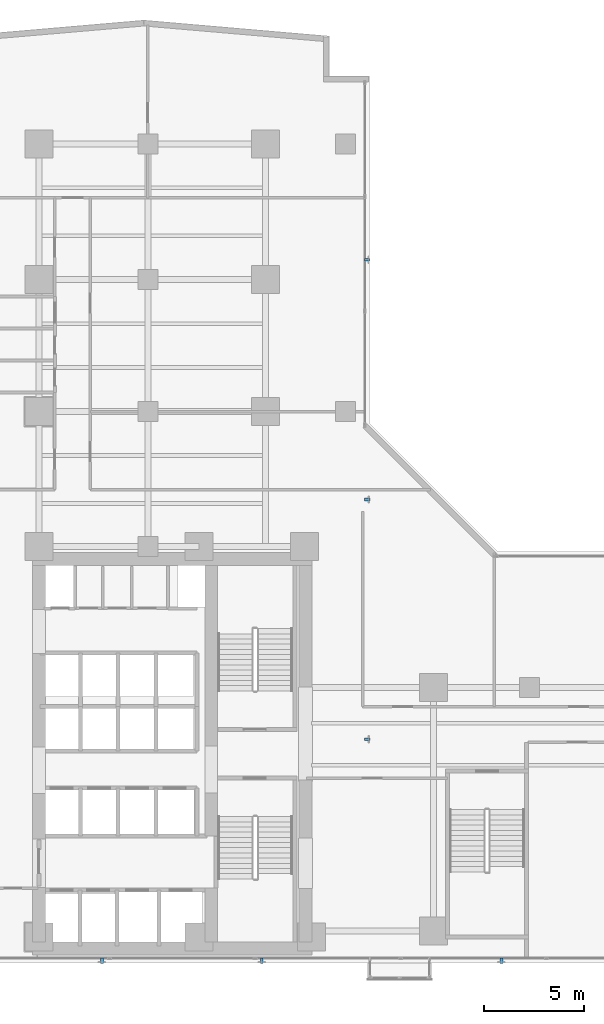
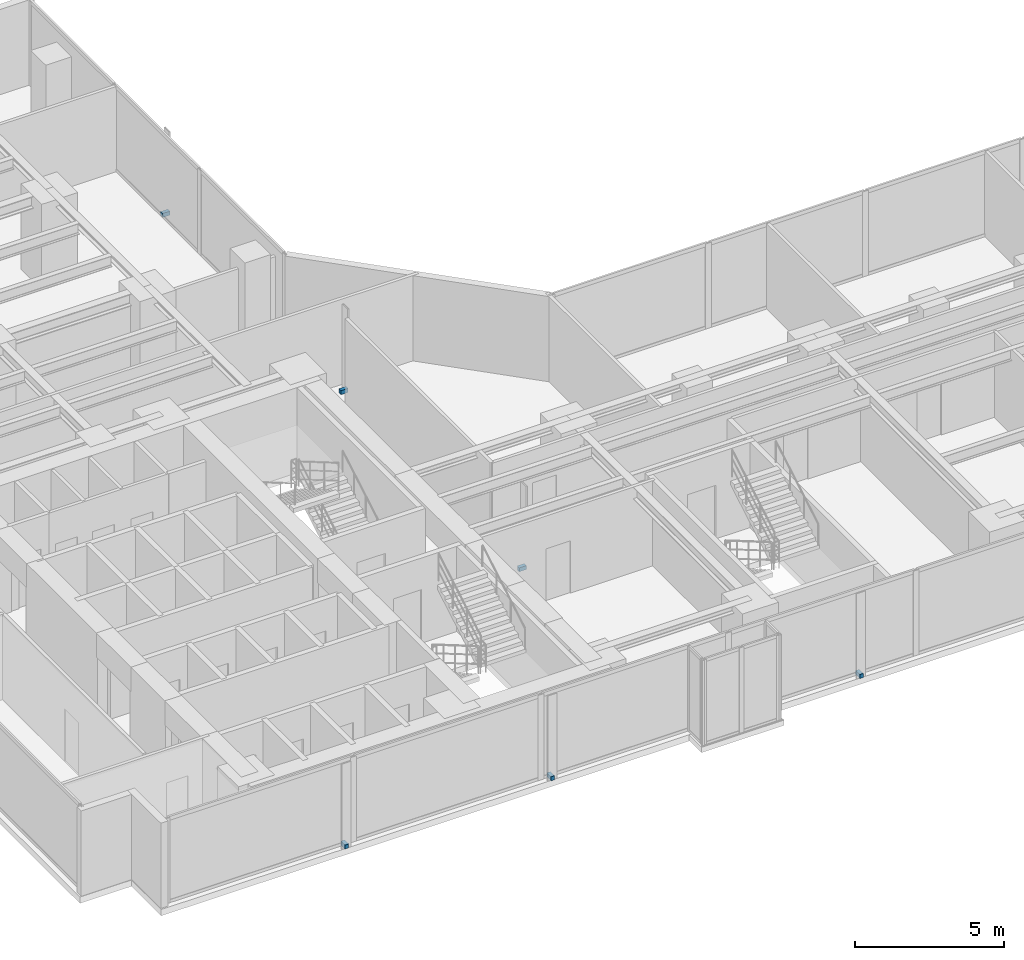
# One storey, part 22 of 25: 6 discrete accessories.
"""IFC4 building model written with IfcOpenShell, lengths in metres."""

from ifc_helpers import new_model, si_unit, direction, frame, origin, origin_with_axes, origin_2d, place, context, subcontext, project, spatial, rectangle, extrude, source, transform, mapped, material, type_object, element, save


model = new_model("IFC4")

# Units and contexts
model_context = context("Model", 3, precision=1e-05, world=origin(), true_north=direction((0.0, 1.0)))
body_context = subcontext(model_context, "Body", "Model", "MODEL_VIEW")
ifc_project = project(units=[si_unit("LENGTHUNIT", "METRE"), si_unit("AREAUNIT", "SQUARE_METRE"), si_unit("VOLUMEUNIT", "CUBIC_METRE"), si_unit("PLANEANGLEUNIT", "RADIAN"), si_unit("MASSUNIT", "GRAM", prefix="KILO")], contexts=[model_context])

# Site, building, storey
site_placement = place(None, origin())
site = spatial("IfcSite", under=ifc_project, at=site_placement, CompositionType="ELEMENT")
building_placement = place(site_placement, origin())
building = spatial("IfcBuilding", under=site, at=building_placement, Name="Kolvaren Waterfront Exchange", CompositionType="ELEMENT")
storey_placement = place(building_placement, frame((0.0, 0.0, 106.89990234375)))
storey = spatial("IfcBuildingStorey", under=building, at=storey_placement, Name="L27", CompositionType="ELEMENT", Elevation=106.89990234375)

# Discrete accessories
ifc_material = material(Name="Stainless steel 316", Category="steel")
discrete_accessory_type = type_object("IfcDiscreteAccessoryType", Name="ARC-BRK-FIN", PredefinedType="BRACKET", material=ifc_material)
shared_shape = source(origin_with_axes(), body_context, "Body", "SweptSolid", [
    extrude(rectangle(XDim=0.280029296875, YDim=0.139892578125, at=origin_2d()), origin(), (0.0, 0.0, 1.0), 0.159912109375),
])
for number, where, z_axis, x_axis, name in (
    (1, (10.60009765625, 3.719970703125, 0.0), (0.0, 0.0, 1.0), (0.0, -1.0, 0.0), "L27 bronze fin anchor bracket FIN-L27-S1"),
    (2, (18.60009765625, 3.719970703125, 0.0), (0.0, 0.0, 1.0), (0.0, -1.0, 0.0), "L27 bronze fin anchor bracket FIN-L27-S2"),
    (3, (30.60009765625, 3.719970703125, 0.0), (0.0, 0.0, 1.0), (0.0, -1.0, 0.0), "L27 bronze fin anchor bracket FIN-L27-S3"),
    (4, (23.8798828125, 14.800048828125, 0.0), (0.0, 0.0, 1.0), (1.0, 0.0, 0.0), "L27 bronze fin anchor bracket FIN-L27-E1"),
    (5, (23.8798828125, 26.800048828125, 0.0), (0.0, 0.0, 1.0), (1.0, 0.0, 0.0), "L27 bronze fin anchor bracket FIN-L27-E2"),
    (6, (23.8798828125, 38.800048828125, 0.0), (0.0, 0.0, 1.0), (1.0, 0.0, 0.0), "L27 bronze fin anchor bracket FIN-L27-E3"),
):
    element("IfcDiscreteAccessory", number, at=place(storey_placement, frame(where, z_axis=z_axis, x_axis=x_axis)), inside=storey, type_object=discrete_accessory_type, Name=name, PredefinedType="BRACKET", context=body_context, shape_type="MappedRepresentation", body=[
        mapped(shared_shape, transform((0.0, 0.0, 0.0), x_axis=(1.0, 0.0, 0.0), y_axis=(0.0, 1.0, 0.0), z_axis=(0.0, 0.0, 1.0), scale=1.0)),
    ])

save(model, "model.ifc")
